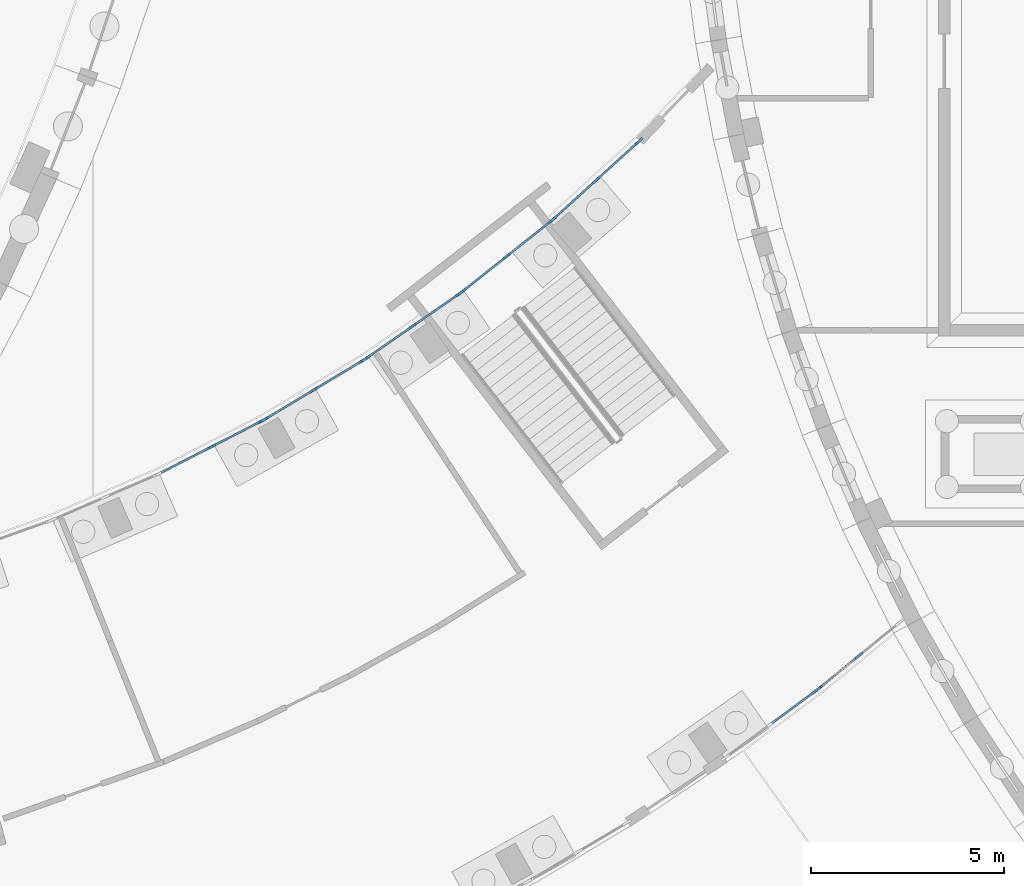
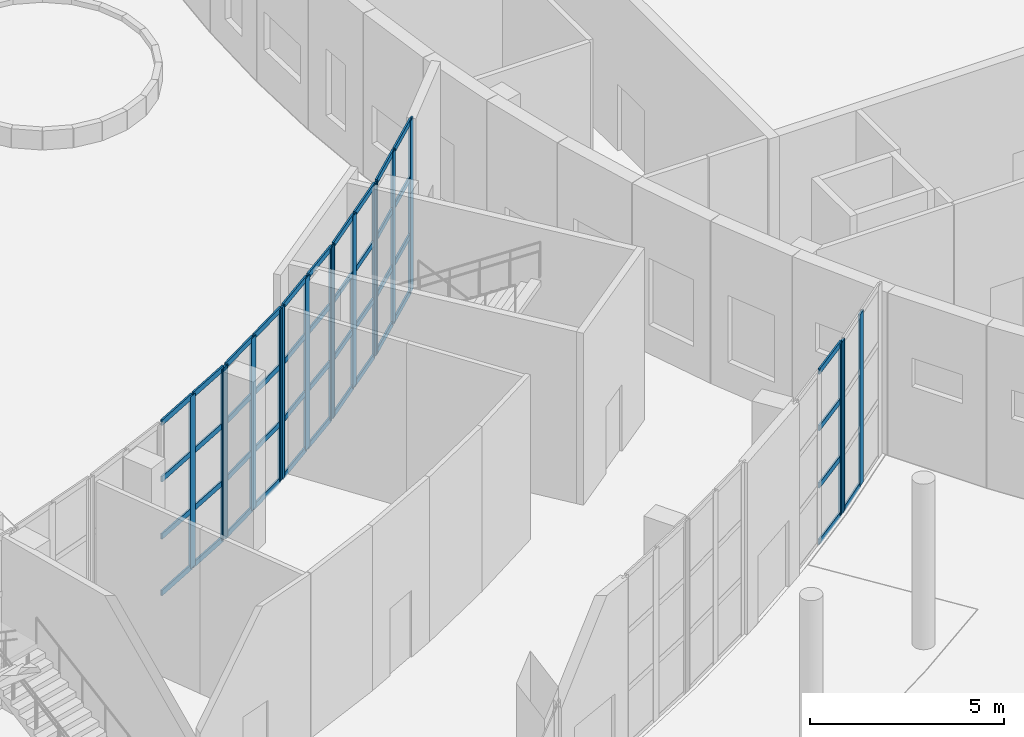
# One storey, part 23 of 82: 62 members, 7 elements without a shape of their own.
"""IFC4 building model written with IfcOpenShell, lengths in metres."""

from ifc_helpers import new_model, si_unit, direction, frame, origin, origin_2d, place, context, subcontext, project, spatial, rectangle, extrude, material, material_profile, profile_set, type_object, element, aggregate, save


model = new_model("IFC4")

# Units and contexts
model_context = context("Model", 3, precision=1e-05, world=origin(), true_north=direction((0.0, 1.0)))
body_context = subcontext(model_context, "Body", "Model", "MODEL_VIEW")
ifc_project = project(units=[si_unit("LENGTHUNIT", "METRE"), si_unit("AREAUNIT", "SQUARE_METRE"), si_unit("VOLUMEUNIT", "CUBIC_METRE"), si_unit("PLANEANGLEUNIT", "RADIAN"), si_unit("MASSUNIT", "GRAM", prefix="KILO")], contexts=[model_context])

# Site, building, storey
site_placement = place(None, origin())
site = spatial("IfcSite", under=ifc_project, at=site_placement, CompositionType="ELEMENT")
building_placement = place(site_placement, origin())
building = spatial("IfcBuilding", under=site, at=building_placement, Name="Tide Square Theatres", CompositionType="ELEMENT")
storey_placement = place(building_placement, origin())
storey = spatial("IfcBuildingStorey", under=building, at=storey_placement, Name="L00", CompositionType="ELEMENT", Elevation=0.0)

# Curtain wall, member
ifc_material_1 = material(Name="Aluminium 6063-T5", Category="aluminium")
curtain_wall_type = type_object("IfcCurtainWallType", Name="Unitised system curtain wall 5400 high", PredefinedType="USERDEFINED", material=ifc_material_1)
curtain_wall_1_placement = place(storey_placement, origin())
curtain_wall_1 = element("IfcCurtainWall", 1, at=curtain_wall_1_placement, inside=storey, type_object=curtain_wall_type, Name="Foyer outer curtain wall", ObjectType="UNITISED SYSTEM", PredefinedType="USERDEFINED")
ifc_material_2 = material(Name="Aluminium 6063-T5", Category="aluminium")
ifc_material_profile_1 = material_profile(ifc_material_2, rectangle(XDim=0.06005859375, YDim=0.25, at=origin_2d()))
ifc_profile_set_1 = profile_set([ifc_material_profile_1], Name="Aluminium 6063-T5")
member_type_1 = type_object("IfcMemberType", Name="Aluminium mullion 60 x 250", PredefinedType="MULLION", material=ifc_profile_set_1)
member_1_placement = place(storey_placement, frame((120.706787109375, 20.697509765625, 0.0), z_axis=(0.0, 0.0, 1.0), x_axis=(-0.593507553151, 0.804828419201, 0.0)))
member_1 = element("IfcMember", 2, at=member_1_placement, type_object=member_type_1, Name="CW-01 mullion 3", PredefinedType="MULLION", context=body_context, shape_type="SweptSolid", body=[
    extrude(rectangle(XDim=0.06005859375, YDim=0.25, at=origin_2d()), origin(), (0.0, 0.0, 1.0), 5.39990234375),
])

# Curtain wall, members
curtain_wall_2_placement = place(storey_placement, origin())
curtain_wall_2 = element("IfcCurtainWall", 3, at=curtain_wall_2_placement, inside=storey, type_object=curtain_wall_type, Name="Foyer outer curtain wall", ObjectType="UNITISED SYSTEM", PredefinedType="USERDEFINED")
member_2_placement = place(storey_placement, frame((120.754150390625, 20.734375, 0.0), z_axis=(0.0, 0.0, 1.0), x_axis=(-0.63302591926, 0.774130599799, 0.0)))
member_2 = element("IfcMember", 4, at=member_2_placement, type_object=member_type_1, Name="CW-01 mullion 1", PredefinedType="MULLION", context=body_context, shape_type="SweptSolid", body=[
    extrude(rectangle(XDim=0.06005859375, YDim=0.25, at=origin_2d()), origin(), (0.0, 0.0, 1.0), 5.39990234375),
])
member_3_placement = place(storey_placement, frame((121.795654296875, 21.5859375, 0.0), z_axis=(0.0, 0.0, 1.0), x_axis=(-0.63302591926, 0.774130599799, 0.0)))
member_3 = element("IfcMember", 5, at=member_3_placement, type_object=member_type_1, Name="CW-01 mullion 2", PredefinedType="MULLION", context=body_context, shape_type="SweptSolid", body=[
    extrude(rectangle(XDim=0.06005859375, YDim=0.25, at=origin_2d()), origin(), (0.0, 0.0, 1.0), 5.39990234375),
])

curtain_wall_3_placement = place(storey_placement, origin())
curtain_wall_3 = element("IfcCurtainWall", 6, at=curtain_wall_3_placement, inside=storey, type_object=curtain_wall_type, Name="Foyer inner curtain wall", ObjectType="UNITISED SYSTEM", PredefinedType="USERDEFINED")
member_4_placement = place(storey_placement, frame((116.105224609375, 34.8837890625, 0.0), z_axis=(0.0, 0.0, 1.0), x_axis=(0.672526963156, -0.740072620645, 0.0)))
member_4 = element("IfcMember", 7, at=member_4_placement, type_object=member_type_1, Name="CW-01 mullion 1", PredefinedType="MULLION", context=body_context, shape_type="SweptSolid", body=[
    extrude(rectangle(XDim=0.06005859375, YDim=0.25, at=origin_2d()), origin(), (0.0, 0.0, 1.0), 5.39990234375),
])
member_5_placement = place(storey_placement, frame((115.00341796875, 33.882568359375, 0.0), z_axis=(0.0, 0.0, 1.0), x_axis=(0.672526963156, -0.740072620645, 0.0)))
member_5 = element("IfcMember", 8, at=member_5_placement, type_object=member_type_1, Name="CW-01 mullion 2", PredefinedType="MULLION", context=body_context, shape_type="SweptSolid", body=[
    extrude(rectangle(XDim=0.06005859375, YDim=0.25, at=origin_2d()), origin(), (0.0, 0.0, 1.0), 5.39990234375),
])
member_6_placement = place(storey_placement, frame((113.9013671875, 32.881103515625, 0.0), z_axis=(0.0, 0.0, 1.0), x_axis=(0.672526963156, -0.740072620645, 0.0)))
member_6 = element("IfcMember", 9, at=member_6_placement, type_object=member_type_1, Name="CW-01 mullion 3", PredefinedType="MULLION", context=body_context, shape_type="SweptSolid", body=[
    extrude(rectangle(XDim=0.06005859375, YDim=0.25, at=origin_2d()), origin(), (0.0, 0.0, 1.0), 5.39990234375),
])

curtain_wall_4_placement = place(storey_placement, origin())
curtain_wall_4 = element("IfcCurtainWall", 10, at=curtain_wall_4_placement, inside=storey, type_object=curtain_wall_type, Name="Foyer inner curtain wall", ObjectType="UNITISED SYSTEM", PredefinedType="USERDEFINED")
member_7_placement = place(storey_placement, frame((113.855712890625, 32.84228515625, 0.0), z_axis=(0.0, 0.0, 1.0), x_axis=(0.622339810024, -0.782747188343, 0.0)))
member_7 = element("IfcMember", 11, at=member_7_placement, type_object=member_type_1, Name="CW-01 mullion 1", PredefinedType="MULLION", context=body_context, shape_type="SweptSolid", body=[
    extrude(rectangle(XDim=0.06005859375, YDim=0.25, at=origin_2d()), origin(), (0.0, 0.0, 1.0), 5.39990234375),
])
member_8_placement = place(storey_placement, frame((112.690185546875, 31.91552734375, 0.0), z_axis=(0.0, 0.0, 1.0), x_axis=(0.622339810024, -0.782747188343, 0.0)))
member_8 = element("IfcMember", 12, at=member_8_placement, type_object=member_type_1, Name="CW-01 mullion 2", PredefinedType="MULLION", context=body_context, shape_type="SweptSolid", body=[
    extrude(rectangle(XDim=0.06005859375, YDim=0.25, at=origin_2d()), origin(), (0.0, 0.0, 1.0), 5.39990234375),
])
member_9_placement = place(storey_placement, frame((111.52490234375, 30.989013671875, 0.0), z_axis=(0.0, 0.0, 1.0), x_axis=(0.622339810024, -0.782747188343, 0.0)))
member_9 = element("IfcMember", 13, at=member_9_placement, type_object=member_type_1, Name="CW-01 mullion 3", PredefinedType="MULLION", context=body_context, shape_type="SweptSolid", body=[
    extrude(rectangle(XDim=0.06005859375, YDim=0.25, at=origin_2d()), origin(), (0.0, 0.0, 1.0), 5.39990234375),
])

curtain_wall_5_placement = place(storey_placement, origin())
curtain_wall_5 = element("IfcCurtainWall", 14, at=curtain_wall_5_placement, inside=storey, type_object=curtain_wall_type, Name="Foyer inner curtain wall", ObjectType="UNITISED SYSTEM", PredefinedType="USERDEFINED")
member_10_placement = place(storey_placement, frame((111.4765625, 30.953125, 0.0), z_axis=(0.0, 0.0, 1.0), x_axis=(0.569470129047, -0.822012026751, 0.0)))
member_10 = element("IfcMember", 15, at=member_10_placement, type_object=member_type_1, Name="CW-01 mullion 1", PredefinedType="MULLION", context=body_context, shape_type="SweptSolid", body=[
    extrude(rectangle(XDim=0.06005859375, YDim=0.25, at=origin_2d()), origin(), (0.0, 0.0, 1.0), 5.39990234375),
])
member_11_placement = place(storey_placement, frame((110.252685546875, 30.105224609375, 0.0), z_axis=(0.0, 0.0, 1.0), x_axis=(0.569470129047, -0.822012026751, 0.0)))
member_11 = element("IfcMember", 16, at=member_11_placement, type_object=member_type_1, Name="CW-01 mullion 2", PredefinedType="MULLION", context=body_context, shape_type="SweptSolid", body=[
    extrude(rectangle(XDim=0.06005859375, YDim=0.25, at=origin_2d()), origin(), (0.0, 0.0, 1.0), 5.39990234375),
])
member_12_placement = place(storey_placement, frame((109.02880859375, 29.25732421875, 0.0), z_axis=(0.0, 0.0, 1.0), x_axis=(0.569470129047, -0.822012026751, 0.0)))
member_12 = element("IfcMember", 17, at=member_12_placement, type_object=member_type_1, Name="CW-01 mullion 3", PredefinedType="MULLION", context=body_context, shape_type="SweptSolid", body=[
    extrude(rectangle(XDim=0.06005859375, YDim=0.25, at=origin_2d()), origin(), (0.0, 0.0, 1.0), 5.39990234375),
])

curtain_wall_6_placement = place(storey_placement, origin())
curtain_wall_6 = element("IfcCurtainWall", 18, at=curtain_wall_6_placement, inside=storey, type_object=curtain_wall_type, Name="Foyer inner curtain wall", ObjectType="UNITISED SYSTEM", PredefinedType="USERDEFINED")
member_13_placement = place(storey_placement, frame((108.978271484375, 29.224853515625, 0.0), z_axis=(0.0, 0.0, 1.0), x_axis=(0.514127814204, -0.857713583116, 0.0)))
member_13 = element("IfcMember", 19, at=member_13_placement, type_object=member_type_1, Name="CW-01 mullion 1", PredefinedType="MULLION", context=body_context, shape_type="SweptSolid", body=[
    extrude(rectangle(XDim=0.06005859375, YDim=0.25, at=origin_2d()), origin(), (0.0, 0.0, 1.0), 5.39990234375),
])
member_14_placement = place(storey_placement, frame((107.701171875, 28.459228515625, 0.0), z_axis=(0.0, 0.0, 1.0), x_axis=(0.514127814204, -0.857713583116, 0.0)))
member_14 = element("IfcMember", 20, at=member_14_placement, type_object=member_type_1, Name="CW-01 mullion 2", PredefinedType="MULLION", context=body_context, shape_type="SweptSolid", body=[
    extrude(rectangle(XDim=0.06005859375, YDim=0.25, at=origin_2d()), origin(), (0.0, 0.0, 1.0), 5.39990234375),
])
member_15_placement = place(storey_placement, frame((106.424072265625, 27.69384765625, 0.0), z_axis=(0.0, 0.0, 1.0), x_axis=(0.514127814204, -0.857713583116, 0.0)))
member_15 = element("IfcMember", 21, at=member_15_placement, type_object=member_type_1, Name="CW-01 mullion 3", PredefinedType="MULLION", context=body_context, shape_type="SweptSolid", body=[
    extrude(rectangle(XDim=0.06005859375, YDim=0.25, at=origin_2d()), origin(), (0.0, 0.0, 1.0), 5.39990234375),
])

curtain_wall_7_placement = place(storey_placement, origin())
curtain_wall_7 = element("IfcCurtainWall", 22, at=curtain_wall_7_placement, inside=storey, type_object=curtain_wall_type, Name="Foyer inner curtain wall", ObjectType="UNITISED SYSTEM", PredefinedType="USERDEFINED")
member_16_placement = place(storey_placement, frame((106.371826171875, 27.664794921875, 0.0), z_axis=(0.0, 0.0, 1.0), x_axis=(0.456563895791, -0.889690625476, 0.0)))
member_16 = element("IfcMember", 23, at=member_16_placement, type_object=member_type_1, Name="CW-01 mullion 1", PredefinedType="MULLION", context=body_context, shape_type="SweptSolid", body=[
    extrude(rectangle(XDim=0.06005859375, YDim=0.25, at=origin_2d()), origin(), (0.0, 0.0, 1.0), 5.39990234375),
])
member_17_placement = place(storey_placement, frame((105.047119140625, 26.98486328125, 0.0), z_axis=(0.0, 0.0, 1.0), x_axis=(0.456563895791, -0.889690625476, 0.0)))
member_17 = element("IfcMember", 24, at=member_17_placement, type_object=member_type_1, Name="CW-01 mullion 2", PredefinedType="MULLION", context=body_context, shape_type="SweptSolid", body=[
    extrude(rectangle(XDim=0.06005859375, YDim=0.25, at=origin_2d()), origin(), (0.0, 0.0, 1.0), 5.39990234375),
])

# Member
ifc_material_3 = material(Name="Aluminium 6063-T5", Category="aluminium")
ifc_material_profile_2 = material_profile(ifc_material_3, rectangle(XDim=0.050048828125, YDim=0.175048828125, at=origin_2d()))
ifc_profile_set_2 = profile_set([ifc_material_profile_2], Name="Aluminium 6063-T5")
member_type_2 = type_object("IfcMemberType", Name="Aluminium transom 50 x 175", PredefinedType="USERDEFINED", material=ifc_profile_set_2)
member_18_placement = place(storey_placement, frame((119.549560546875, 19.843994140625, 0.02490234375), z_axis=(0.804781164324, 0.593571627986, 0.0), x_axis=(-0.593571627986, 0.804781164324, 0.0)))
member_18 = element("IfcMember", 25, at=member_18_placement, type_object=member_type_2, Name="CW-01 transom 2.1", ObjectType="TRANSOM", PredefinedType="USERDEFINED", context=body_context, shape_type="SweptSolid", body=[
    extrude(rectangle(XDim=0.050048828125, YDim=0.175048828125, at=origin_2d()), origin(), (0.0, 0.0, 1.0), 1.407958984375),
])

member_19_placement = place(storey_placement, frame((119.549560546875, 19.843994140625, 1.800048828125), z_axis=(0.804781164324, 0.593571627986, 0.0), x_axis=(-0.593571627986, 0.804781164324, 0.0)))
member_19 = element("IfcMember", 26, at=member_19_placement, type_object=member_type_2, Name="CW-01 transom 2.2", ObjectType="TRANSOM", PredefinedType="USERDEFINED", context=body_context, shape_type="SweptSolid", body=[
    extrude(rectangle(XDim=0.050048828125, YDim=0.175048828125, at=origin_2d()), origin(), (0.0, 0.0, 1.0), 1.407958984375),
])

member_20_placement = place(storey_placement, frame((119.549560546875, 19.843994140625, 3.60009765625), z_axis=(0.804781164324, 0.593571627986, 0.0), x_axis=(-0.593571627986, 0.804781164324, 0.0)))
member_20 = element("IfcMember", 27, at=member_20_placement, type_object=member_type_2, Name="CW-01 transom 2.3", ObjectType="TRANSOM", PredefinedType="USERDEFINED", context=body_context, shape_type="SweptSolid", body=[
    extrude(rectangle(XDim=0.050048828125, YDim=0.175048828125, at=origin_2d()), origin(), (0.0, 0.0, 1.0), 1.407958984375),
])

member_21_placement = place(storey_placement, frame((119.549560546875, 19.843994140625, 5.375), z_axis=(0.804781164324, 0.593571627986, 0.0), x_axis=(-0.593571627986, 0.804781164324, 0.0)))
member_21 = element("IfcMember", 28, at=member_21_placement, type_object=member_type_2, Name="CW-01 transom 2.4", ObjectType="TRANSOM", PredefinedType="USERDEFINED", context=body_context, shape_type="SweptSolid", body=[
    extrude(rectangle(XDim=0.050048828125, YDim=0.175048828125, at=origin_2d()), origin(), (0.0, 0.0, 1.0), 1.407958984375),
])

aggregate(curtain_wall_1, [member_1, member_18, member_19, member_20, member_21])

member_22_placement = place(storey_placement, frame((120.77734375, 20.753173828125, 0.02490234375), z_axis=(0.774134970987, 0.633020573675, 0.0), x_axis=(-0.633020573675, 0.774134970987, 0.0)))
member_22 = element("IfcMember", 29, at=member_22_placement, type_object=member_type_2, Name="CW-01 transom 1.1", ObjectType="TRANSOM", PredefinedType="USERDEFINED", context=body_context, shape_type="SweptSolid", body=[
    extrude(rectangle(XDim=0.050048828125, YDim=0.175048828125, at=origin_2d()), origin(), (0.0, 0.0, 1.0), 1.285400390625),
])

aggregate(curtain_wall_2, [member_2, member_3, member_22])

member_23_placement = place(storey_placement, frame((116.0830078125, 34.86376953125, 0.02490234375), z_axis=(-0.739963265637, -0.672647281647, 0.0), x_axis=(0.672647281647, -0.739963265637, 0.0)))
member_23 = element("IfcMember", 30, at=member_23_placement, type_object=member_type_2, Name="CW-01 transom 1.1", ObjectType="TRANSOM", PredefinedType="USERDEFINED", context=body_context, shape_type="SweptSolid", body=[
    extrude(rectangle(XDim=0.050048828125, YDim=0.175048828125, at=origin_2d()), origin(), (0.0, 0.0, 1.0), 1.428955078125),
])

member_24_placement = place(storey_placement, frame((116.0830078125, 34.86376953125, 1.800048828125), z_axis=(-0.739963265637, -0.672647281647, 0.0), x_axis=(0.672647281647, -0.739963265637, 0.0)))
member_24 = element("IfcMember", 31, at=member_24_placement, type_object=member_type_2, Name="CW-01 transom 1.2", ObjectType="TRANSOM", PredefinedType="USERDEFINED", context=body_context, shape_type="SweptSolid", body=[
    extrude(rectangle(XDim=0.050048828125, YDim=0.175048828125, at=origin_2d()), origin(), (0.0, 0.0, 1.0), 1.428955078125),
])

member_25_placement = place(storey_placement, frame((116.0830078125, 34.86376953125, 3.60009765625), z_axis=(-0.739963265637, -0.672647281647, 0.0), x_axis=(0.672647281647, -0.739963265637, 0.0)))
member_25 = element("IfcMember", 32, at=member_25_placement, type_object=member_type_2, Name="CW-01 transom 1.3", ObjectType="TRANSOM", PredefinedType="USERDEFINED", context=body_context, shape_type="SweptSolid", body=[
    extrude(rectangle(XDim=0.050048828125, YDim=0.175048828125, at=origin_2d()), origin(), (0.0, 0.0, 1.0), 1.428955078125),
])

member_26_placement = place(storey_placement, frame((116.0830078125, 34.86376953125, 5.375), z_axis=(-0.739963265637, -0.672647281647, 0.0), x_axis=(0.672647281647, -0.739963265637, 0.0)))
member_26 = element("IfcMember", 33, at=member_26_placement, type_object=member_type_2, Name="CW-01 transom 1.4", ObjectType="TRANSOM", PredefinedType="USERDEFINED", context=body_context, shape_type="SweptSolid", body=[
    extrude(rectangle(XDim=0.050048828125, YDim=0.175048828125, at=origin_2d()), origin(), (0.0, 0.0, 1.0), 1.428955078125),
])

member_27_placement = place(storey_placement, frame((114.981201171875, 33.8623046875, 0.02490234375), z_axis=(-0.740125584559, -0.672468675167, 0.0), x_axis=(0.672468675167, -0.740125584559, 0.0)))
member_27 = element("IfcMember", 34, at=member_27_placement, type_object=member_type_2, Name="CW-01 transom 2.1", ObjectType="TRANSOM", PredefinedType="USERDEFINED", context=body_context, shape_type="SweptSolid", body=[
    extrude(rectangle(XDim=0.050048828125, YDim=0.175048828125, at=origin_2d()), origin(), (0.0, 0.0, 1.0), 1.428955078125),
])

member_28_placement = place(storey_placement, frame((114.981201171875, 33.8623046875, 1.800048828125), z_axis=(-0.740125584559, -0.672468675167, 0.0), x_axis=(0.672468675167, -0.740125584559, 0.0)))
member_28 = element("IfcMember", 35, at=member_28_placement, type_object=member_type_2, Name="CW-01 transom 2.2", ObjectType="TRANSOM", PredefinedType="USERDEFINED", context=body_context, shape_type="SweptSolid", body=[
    extrude(rectangle(XDim=0.050048828125, YDim=0.175048828125, at=origin_2d()), origin(), (0.0, 0.0, 1.0), 1.428955078125),
])

member_29_placement = place(storey_placement, frame((114.981201171875, 33.8623046875, 3.60009765625), z_axis=(-0.740125584559, -0.672468675167, 0.0), x_axis=(0.672468675167, -0.740125584559, 0.0)))
member_29 = element("IfcMember", 36, at=member_29_placement, type_object=member_type_2, Name="CW-01 transom 2.3", ObjectType="TRANSOM", PredefinedType="USERDEFINED", context=body_context, shape_type="SweptSolid", body=[
    extrude(rectangle(XDim=0.050048828125, YDim=0.175048828125, at=origin_2d()), origin(), (0.0, 0.0, 1.0), 1.428955078125),
])

member_30_placement = place(storey_placement, frame((114.981201171875, 33.8623046875, 5.375), z_axis=(-0.740125584559, -0.672468675167, 0.0), x_axis=(0.672468675167, -0.740125584559, 0.0)))
member_30 = element("IfcMember", 37, at=member_30_placement, type_object=member_type_2, Name="CW-01 transom 2.4", ObjectType="TRANSOM", PredefinedType="USERDEFINED", context=body_context, shape_type="SweptSolid", body=[
    extrude(rectangle(XDim=0.050048828125, YDim=0.175048828125, at=origin_2d()), origin(), (0.0, 0.0, 1.0), 1.428955078125),
])

aggregate(curtain_wall_3, [member_4, member_5, member_6, member_23, member_24, member_25, member_26, member_27, member_28, member_29, member_30])

member_31_placement = place(storey_placement, frame((113.832275390625, 32.823486328125, 0.02490234375), z_axis=(-0.782831790267, -0.622233387201, 0.0), x_axis=(0.622233387201, -0.782831790267, 0.0)))
member_31 = element("IfcMember", 38, at=member_31_placement, type_object=member_type_2, Name="CW-01 transom 1.1", ObjectType="TRANSOM", PredefinedType="USERDEFINED", context=body_context, shape_type="SweptSolid", body=[
    extrude(rectangle(XDim=0.050048828125, YDim=0.175048828125, at=origin_2d()), origin(), (0.0, 0.0, 1.0), 1.428955078125),
])

member_32_placement = place(storey_placement, frame((113.832275390625, 32.823486328125, 1.800048828125), z_axis=(-0.782831790267, -0.622233387201, 0.0), x_axis=(0.622233387201, -0.782831790267, 0.0)))
member_32 = element("IfcMember", 39, at=member_32_placement, type_object=member_type_2, Name="CW-01 transom 1.2", ObjectType="TRANSOM", PredefinedType="USERDEFINED", context=body_context, shape_type="SweptSolid", body=[
    extrude(rectangle(XDim=0.050048828125, YDim=0.175048828125, at=origin_2d()), origin(), (0.0, 0.0, 1.0), 1.428955078125),
])

member_33_placement = place(storey_placement, frame((113.832275390625, 32.823486328125, 3.60009765625), z_axis=(-0.782831790267, -0.622233387201, 0.0), x_axis=(0.622233387201, -0.782831790267, 0.0)))
member_33 = element("IfcMember", 40, at=member_33_placement, type_object=member_type_2, Name="CW-01 transom 1.3", ObjectType="TRANSOM", PredefinedType="USERDEFINED", context=body_context, shape_type="SweptSolid", body=[
    extrude(rectangle(XDim=0.050048828125, YDim=0.175048828125, at=origin_2d()), origin(), (0.0, 0.0, 1.0), 1.428955078125),
])

member_34_placement = place(storey_placement, frame((113.832275390625, 32.823486328125, 5.375), z_axis=(-0.782831790267, -0.622233387201, 0.0), x_axis=(0.622233387201, -0.782831790267, 0.0)))
member_34 = element("IfcMember", 41, at=member_34_placement, type_object=member_type_2, Name="CW-01 transom 1.4", ObjectType="TRANSOM", PredefinedType="USERDEFINED", context=body_context, shape_type="SweptSolid", body=[
    extrude(rectangle(XDim=0.050048828125, YDim=0.175048828125, at=origin_2d()), origin(), (0.0, 0.0, 1.0), 1.428955078125),
])

member_35_placement = place(storey_placement, frame((112.666748046875, 31.89697265625, 0.02490234375), z_axis=(-0.782682393695, -0.622421296711, 0.0), x_axis=(0.622421296711, -0.782682393695, 0.0)))
member_35 = element("IfcMember", 42, at=member_35_placement, type_object=member_type_2, Name="CW-01 transom 2.1", ObjectType="TRANSOM", PredefinedType="USERDEFINED", context=body_context, shape_type="SweptSolid", body=[
    extrude(rectangle(XDim=0.050048828125, YDim=0.175048828125, at=origin_2d()), origin(), (0.0, 0.0, 1.0), 1.428955078125),
])

member_36_placement = place(storey_placement, frame((112.666748046875, 31.89697265625, 1.800048828125), z_axis=(-0.782682393695, -0.622421296711, 0.0), x_axis=(0.622421296711, -0.782682393695, 0.0)))
member_36 = element("IfcMember", 43, at=member_36_placement, type_object=member_type_2, Name="CW-01 transom 2.2", ObjectType="TRANSOM", PredefinedType="USERDEFINED", context=body_context, shape_type="SweptSolid", body=[
    extrude(rectangle(XDim=0.050048828125, YDim=0.175048828125, at=origin_2d()), origin(), (0.0, 0.0, 1.0), 1.428955078125),
])

member_37_placement = place(storey_placement, frame((112.666748046875, 31.89697265625, 3.60009765625), z_axis=(-0.782682393695, -0.622421296711, 0.0), x_axis=(0.622421296711, -0.782682393695, 0.0)))
member_37 = element("IfcMember", 44, at=member_37_placement, type_object=member_type_2, Name="CW-01 transom 2.3", ObjectType="TRANSOM", PredefinedType="USERDEFINED", context=body_context, shape_type="SweptSolid", body=[
    extrude(rectangle(XDim=0.050048828125, YDim=0.175048828125, at=origin_2d()), origin(), (0.0, 0.0, 1.0), 1.428955078125),
])

member_38_placement = place(storey_placement, frame((112.666748046875, 31.89697265625, 5.375), z_axis=(-0.782682393695, -0.622421296711, 0.0), x_axis=(0.622421296711, -0.782682393695, 0.0)))
member_38 = element("IfcMember", 45, at=member_38_placement, type_object=member_type_2, Name="CW-01 transom 2.4", ObjectType="TRANSOM", PredefinedType="USERDEFINED", context=body_context, shape_type="SweptSolid", body=[
    extrude(rectangle(XDim=0.050048828125, YDim=0.175048828125, at=origin_2d()), origin(), (0.0, 0.0, 1.0), 1.428955078125),
])

aggregate(curtain_wall_4, [member_7, member_8, member_9, member_31, member_32, member_33, member_34, member_35, member_36, member_37, member_38])

member_39_placement = place(storey_placement, frame((111.451904296875, 30.93603515625, 0.02490234375), z_axis=(-0.822007619604, -0.569476490571, 0.0), x_axis=(0.569476490571, -0.822007619604, 0.0)))
member_39 = element("IfcMember", 46, at=member_39_placement, type_object=member_type_2, Name="CW-01 transom 1.1", ObjectType="TRANSOM", PredefinedType="USERDEFINED", context=body_context, shape_type="SweptSolid", body=[
    extrude(rectangle(XDim=0.050048828125, YDim=0.175048828125, at=origin_2d()), origin(), (0.0, 0.0, 1.0), 1.428955078125),
])

member_40_placement = place(storey_placement, frame((111.451904296875, 30.93603515625, 1.800048828125), z_axis=(-0.822007619604, -0.569476490571, 0.0), x_axis=(0.569476490571, -0.822007619604, 0.0)))
member_40 = element("IfcMember", 47, at=member_40_placement, type_object=member_type_2, Name="CW-01 transom 1.2", ObjectType="TRANSOM", PredefinedType="USERDEFINED", context=body_context, shape_type="SweptSolid", body=[
    extrude(rectangle(XDim=0.050048828125, YDim=0.175048828125, at=origin_2d()), origin(), (0.0, 0.0, 1.0), 1.428955078125),
])

member_41_placement = place(storey_placement, frame((111.451904296875, 30.93603515625, 3.60009765625), z_axis=(-0.822007619604, -0.569476490571, 0.0), x_axis=(0.569476490571, -0.822007619604, 0.0)))
member_41 = element("IfcMember", 48, at=member_41_placement, type_object=member_type_2, Name="CW-01 transom 1.3", ObjectType="TRANSOM", PredefinedType="USERDEFINED", context=body_context, shape_type="SweptSolid", body=[
    extrude(rectangle(XDim=0.050048828125, YDim=0.175048828125, at=origin_2d()), origin(), (0.0, 0.0, 1.0), 1.428955078125),
])

member_42_placement = place(storey_placement, frame((111.451904296875, 30.93603515625, 5.375), z_axis=(-0.822007619604, -0.569476490571, 0.0), x_axis=(0.569476490571, -0.822007619604, 0.0)))
member_42 = element("IfcMember", 49, at=member_42_placement, type_object=member_type_2, Name="CW-01 transom 1.4", ObjectType="TRANSOM", PredefinedType="USERDEFINED", context=body_context, shape_type="SweptSolid", body=[
    extrude(rectangle(XDim=0.050048828125, YDim=0.175048828125, at=origin_2d()), origin(), (0.0, 0.0, 1.0), 1.428955078125),
])

member_43_placement = place(storey_placement, frame((110.22802734375, 30.088134765625, 0.02490234375), z_axis=(-0.822007619604, -0.569476490571, 0.0), x_axis=(0.569476490571, -0.822007619604, 0.0)))
member_43 = element("IfcMember", 50, at=member_43_placement, type_object=member_type_2, Name="CW-01 transom 2.1", ObjectType="TRANSOM", PredefinedType="USERDEFINED", context=body_context, shape_type="SweptSolid", body=[
    extrude(rectangle(XDim=0.050048828125, YDim=0.175048828125, at=origin_2d()), origin(), (0.0, 0.0, 1.0), 1.428955078125),
])

member_44_placement = place(storey_placement, frame((110.22802734375, 30.088134765625, 1.800048828125), z_axis=(-0.822007619604, -0.569476490571, 0.0), x_axis=(0.569476490571, -0.822007619604, 0.0)))
member_44 = element("IfcMember", 51, at=member_44_placement, type_object=member_type_2, Name="CW-01 transom 2.2", ObjectType="TRANSOM", PredefinedType="USERDEFINED", context=body_context, shape_type="SweptSolid", body=[
    extrude(rectangle(XDim=0.050048828125, YDim=0.175048828125, at=origin_2d()), origin(), (0.0, 0.0, 1.0), 1.428955078125),
])

member_45_placement = place(storey_placement, frame((110.22802734375, 30.088134765625, 3.60009765625), z_axis=(-0.822007619604, -0.569476490571, 0.0), x_axis=(0.569476490571, -0.822007619604, 0.0)))
member_45 = element("IfcMember", 52, at=member_45_placement, type_object=member_type_2, Name="CW-01 transom 2.3", ObjectType="TRANSOM", PredefinedType="USERDEFINED", context=body_context, shape_type="SweptSolid", body=[
    extrude(rectangle(XDim=0.050048828125, YDim=0.175048828125, at=origin_2d()), origin(), (0.0, 0.0, 1.0), 1.428955078125),
])

member_46_placement = place(storey_placement, frame((110.22802734375, 30.088134765625, 5.375), z_axis=(-0.822007619604, -0.569476490571, 0.0), x_axis=(0.569476490571, -0.822007619604, 0.0)))
member_46 = element("IfcMember", 53, at=member_46_placement, type_object=member_type_2, Name="CW-01 transom 2.4", ObjectType="TRANSOM", PredefinedType="USERDEFINED", context=body_context, shape_type="SweptSolid", body=[
    extrude(rectangle(XDim=0.050048828125, YDim=0.175048828125, at=origin_2d()), origin(), (0.0, 0.0, 1.0), 1.428955078125),
])

aggregate(curtain_wall_5, [member_10, member_11, member_12, member_39, member_40, member_41, member_42, member_43, member_44, member_45, member_46])

member_47_placement = place(storey_placement, frame((108.95263671875, 29.20947265625, 0.02490234375), z_axis=(-0.857718981588, -0.514118807888, 0.0), x_axis=(0.514118807888, -0.857718981588, 0.0)))
member_47 = element("IfcMember", 54, at=member_47_placement, type_object=member_type_2, Name="CW-01 transom 1.1", ObjectType="TRANSOM", PredefinedType="USERDEFINED", context=body_context, shape_type="SweptSolid", body=[
    extrude(rectangle(XDim=0.050048828125, YDim=0.175048828125, at=origin_2d()), origin(), (0.0, 0.0, 1.0), 1.428955078125),
])

member_48_placement = place(storey_placement, frame((108.95263671875, 29.20947265625, 1.800048828125), z_axis=(-0.857718981588, -0.514118807888, 0.0), x_axis=(0.514118807888, -0.857718981588, 0.0)))
member_48 = element("IfcMember", 55, at=member_48_placement, type_object=member_type_2, Name="CW-01 transom 1.2", ObjectType="TRANSOM", PredefinedType="USERDEFINED", context=body_context, shape_type="SweptSolid", body=[
    extrude(rectangle(XDim=0.050048828125, YDim=0.175048828125, at=origin_2d()), origin(), (0.0, 0.0, 1.0), 1.428955078125),
])

member_49_placement = place(storey_placement, frame((108.95263671875, 29.20947265625, 3.60009765625), z_axis=(-0.857718981588, -0.514118807888, 0.0), x_axis=(0.514118807888, -0.857718981588, 0.0)))
member_49 = element("IfcMember", 56, at=member_49_placement, type_object=member_type_2, Name="CW-01 transom 1.3", ObjectType="TRANSOM", PredefinedType="USERDEFINED", context=body_context, shape_type="SweptSolid", body=[
    extrude(rectangle(XDim=0.050048828125, YDim=0.175048828125, at=origin_2d()), origin(), (0.0, 0.0, 1.0), 1.428955078125),
])

member_50_placement = place(storey_placement, frame((108.95263671875, 29.20947265625, 5.375), z_axis=(-0.857718981588, -0.514118807888, 0.0), x_axis=(0.514118807888, -0.857718981588, 0.0)))
member_50 = element("IfcMember", 57, at=member_50_placement, type_object=member_type_2, Name="CW-01 transom 1.4", ObjectType="TRANSOM", PredefinedType="USERDEFINED", context=body_context, shape_type="SweptSolid", body=[
    extrude(rectangle(XDim=0.050048828125, YDim=0.175048828125, at=origin_2d()), origin(), (0.0, 0.0, 1.0), 1.428955078125),
])

member_51_placement = place(storey_placement, frame((107.675537109375, 28.44384765625, 0.02490234375), z_axis=(-0.857718981588, -0.514118807888, 0.0), x_axis=(0.514118807888, -0.857718981588, 0.0)))
member_51 = element("IfcMember", 58, at=member_51_placement, type_object=member_type_2, Name="CW-01 transom 2.1", ObjectType="TRANSOM", PredefinedType="USERDEFINED", context=body_context, shape_type="SweptSolid", body=[
    extrude(rectangle(XDim=0.050048828125, YDim=0.175048828125, at=origin_2d()), origin(), (0.0, 0.0, 1.0), 1.428955078125),
])

member_52_placement = place(storey_placement, frame((107.675537109375, 28.44384765625, 1.800048828125), z_axis=(-0.857718981588, -0.514118807888, 0.0), x_axis=(0.514118807888, -0.857718981588, 0.0)))
member_52 = element("IfcMember", 59, at=member_52_placement, type_object=member_type_2, Name="CW-01 transom 2.2", ObjectType="TRANSOM", PredefinedType="USERDEFINED", context=body_context, shape_type="SweptSolid", body=[
    extrude(rectangle(XDim=0.050048828125, YDim=0.175048828125, at=origin_2d()), origin(), (0.0, 0.0, 1.0), 1.428955078125),
])

member_53_placement = place(storey_placement, frame((107.675537109375, 28.44384765625, 3.60009765625), z_axis=(-0.857718981588, -0.514118807888, 0.0), x_axis=(0.514118807888, -0.857718981588, 0.0)))
member_53 = element("IfcMember", 60, at=member_53_placement, type_object=member_type_2, Name="CW-01 transom 2.3", ObjectType="TRANSOM", PredefinedType="USERDEFINED", context=body_context, shape_type="SweptSolid", body=[
    extrude(rectangle(XDim=0.050048828125, YDim=0.175048828125, at=origin_2d()), origin(), (0.0, 0.0, 1.0), 1.428955078125),
])

member_54_placement = place(storey_placement, frame((107.675537109375, 28.44384765625, 5.375), z_axis=(-0.857718981588, -0.514118807888, 0.0), x_axis=(0.514118807888, -0.857718981588, 0.0)))
member_54 = element("IfcMember", 61, at=member_54_placement, type_object=member_type_2, Name="CW-01 transom 2.4", ObjectType="TRANSOM", PredefinedType="USERDEFINED", context=body_context, shape_type="SweptSolid", body=[
    extrude(rectangle(XDim=0.050048828125, YDim=0.175048828125, at=origin_2d()), origin(), (0.0, 0.0, 1.0), 1.428955078125),
])

aggregate(curtain_wall_6, [member_13, member_14, member_15, member_47, member_48, member_49, member_50, member_51, member_52, member_53, member_54])

member_55_placement = place(storey_placement, frame((106.344970703125, 27.651123046875, 0.02490234375), z_axis=(-0.889627055601, -0.456687751032, 0.0), x_axis=(0.456687751032, -0.889627055601, 0.0)))
member_55 = element("IfcMember", 62, at=member_55_placement, type_object=member_type_2, Name="CW-01 transom 1.1", ObjectType="TRANSOM", PredefinedType="USERDEFINED", context=body_context, shape_type="SweptSolid", body=[
    extrude(rectangle(XDim=0.050048828125, YDim=0.175048828125, at=origin_2d()), origin(), (0.0, 0.0, 1.0), 1.428955078125),
])

member_56_placement = place(storey_placement, frame((106.344970703125, 27.651123046875, 1.800048828125), z_axis=(-0.889627055601, -0.456687751032, 0.0), x_axis=(0.456687751032, -0.889627055601, 0.0)))
member_56 = element("IfcMember", 63, at=member_56_placement, type_object=member_type_2, Name="CW-01 transom 1.2", ObjectType="TRANSOM", PredefinedType="USERDEFINED", context=body_context, shape_type="SweptSolid", body=[
    extrude(rectangle(XDim=0.050048828125, YDim=0.175048828125, at=origin_2d()), origin(), (0.0, 0.0, 1.0), 1.428955078125),
])

member_57_placement = place(storey_placement, frame((106.344970703125, 27.651123046875, 3.60009765625), z_axis=(-0.889627055601, -0.456687751032, 0.0), x_axis=(0.456687751032, -0.889627055601, 0.0)))
member_57 = element("IfcMember", 64, at=member_57_placement, type_object=member_type_2, Name="CW-01 transom 1.3", ObjectType="TRANSOM", PredefinedType="USERDEFINED", context=body_context, shape_type="SweptSolid", body=[
    extrude(rectangle(XDim=0.050048828125, YDim=0.175048828125, at=origin_2d()), origin(), (0.0, 0.0, 1.0), 1.428955078125),
])

member_58_placement = place(storey_placement, frame((106.344970703125, 27.651123046875, 5.375), z_axis=(-0.889627055601, -0.456687751032, 0.0), x_axis=(0.456687751032, -0.889627055601, 0.0)))
member_58 = element("IfcMember", 65, at=member_58_placement, type_object=member_type_2, Name="CW-01 transom 1.4", ObjectType="TRANSOM", PredefinedType="USERDEFINED", context=body_context, shape_type="SweptSolid", body=[
    extrude(rectangle(XDim=0.050048828125, YDim=0.175048828125, at=origin_2d()), origin(), (0.0, 0.0, 1.0), 1.428955078125),
])

member_59_placement = place(storey_placement, frame((105.020263671875, 26.97119140625, 0.02490234375), z_axis=(-0.889696464848, -0.456552516626, 0.0), x_axis=(0.456552516626, -0.889696464848, 0.0)))
member_59 = element("IfcMember", 66, at=member_59_placement, type_object=member_type_2, Name="CW-01 transom 2.1", ObjectType="TRANSOM", PredefinedType="USERDEFINED", context=body_context, shape_type="SweptSolid", body=[
    extrude(rectangle(XDim=0.050048828125, YDim=0.175048828125, at=origin_2d()), origin(), (0.0, 0.0, 1.0), 1.428955078125),
])

member_60_placement = place(storey_placement, frame((105.020263671875, 26.97119140625, 1.800048828125), z_axis=(-0.889696464848, -0.456552516626, 0.0), x_axis=(0.456552516626, -0.889696464848, 0.0)))
member_60 = element("IfcMember", 67, at=member_60_placement, type_object=member_type_2, Name="CW-01 transom 2.2", ObjectType="TRANSOM", PredefinedType="USERDEFINED", context=body_context, shape_type="SweptSolid", body=[
    extrude(rectangle(XDim=0.050048828125, YDim=0.175048828125, at=origin_2d()), origin(), (0.0, 0.0, 1.0), 1.428955078125),
])

member_61_placement = place(storey_placement, frame((105.020263671875, 26.97119140625, 3.60009765625), z_axis=(-0.889696464848, -0.456552516626, 0.0), x_axis=(0.456552516626, -0.889696464848, 0.0)))
member_61 = element("IfcMember", 68, at=member_61_placement, type_object=member_type_2, Name="CW-01 transom 2.3", ObjectType="TRANSOM", PredefinedType="USERDEFINED", context=body_context, shape_type="SweptSolid", body=[
    extrude(rectangle(XDim=0.050048828125, YDim=0.175048828125, at=origin_2d()), origin(), (0.0, 0.0, 1.0), 1.428955078125),
])

member_62_placement = place(storey_placement, frame((105.020263671875, 26.97119140625, 5.375), z_axis=(-0.889696464848, -0.456552516626, 0.0), x_axis=(0.456552516626, -0.889696464848, 0.0)))
member_62 = element("IfcMember", 69, at=member_62_placement, type_object=member_type_2, Name="CW-01 transom 2.4", ObjectType="TRANSOM", PredefinedType="USERDEFINED", context=body_context, shape_type="SweptSolid", body=[
    extrude(rectangle(XDim=0.050048828125, YDim=0.175048828125, at=origin_2d()), origin(), (0.0, 0.0, 1.0), 1.428955078125),
])

aggregate(curtain_wall_7, [member_16, member_17, member_55, member_56, member_57, member_58, member_59, member_60, member_61, member_62])

save(model, "model.ifc")
